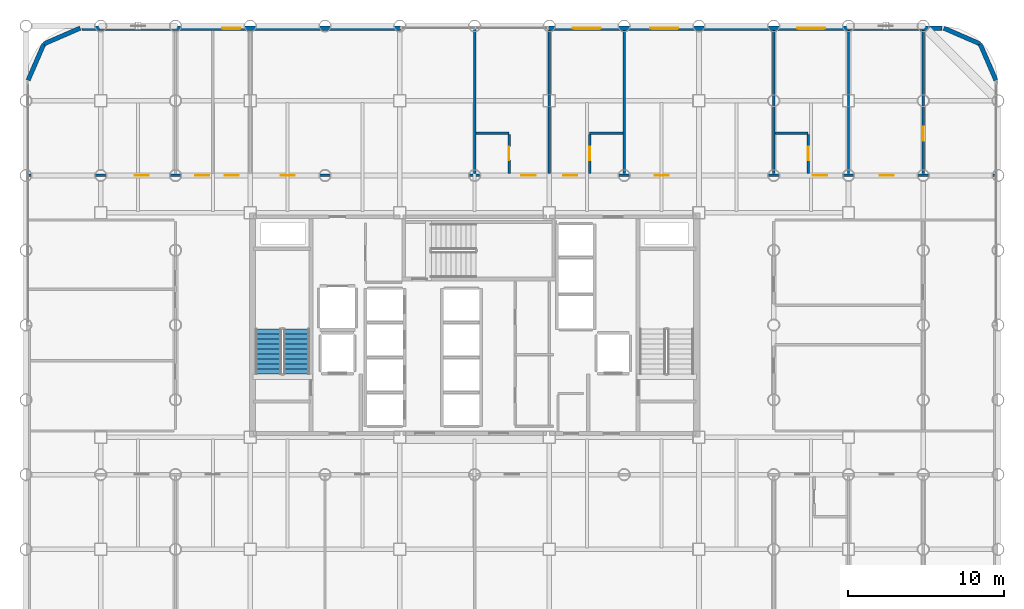
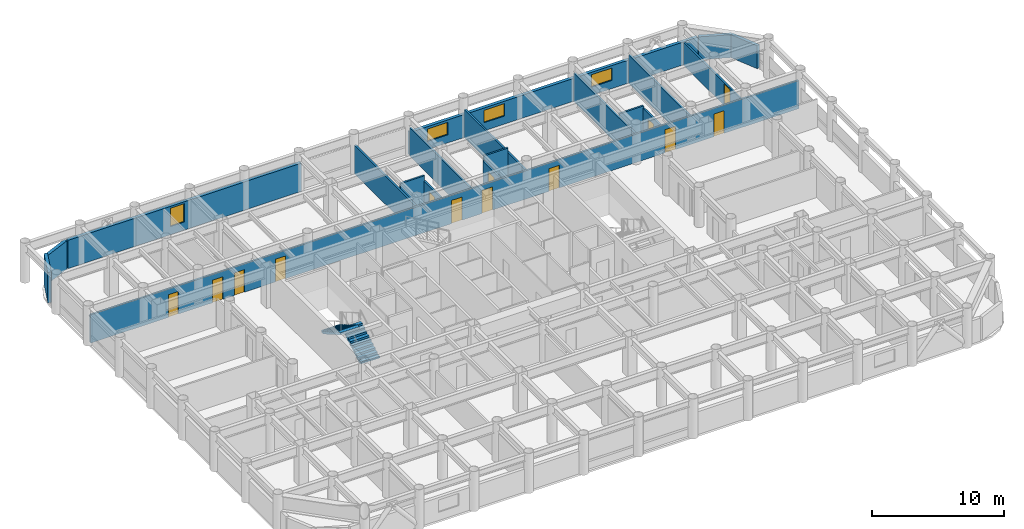
# One storey, part 17 of 19: 19 walls, 13 doors, 4 windows, 2 stair flights, 17 openings, 1 element without a shape of its own.
"""IFC4 building model written with IfcOpenShell, lengths in metres."""

from ifc_helpers import new_model, si_unit, direction, frame, frame_2d, origin, place, context, subcontext, project, spatial, polyline, rectangle, outline, extrude, material, layer, layer_set, type_object, element, fill, aggregate, save


model = new_model("IFC4")

# Units and contexts
model_context = context("Model", 3, precision=1e-05, world=origin(), true_north=direction((0.0, 1.0)))
body_context = subcontext(model_context, "Body", "Model", "MODEL_VIEW")
ifc_project = project(units=[si_unit("LENGTHUNIT", "METRE"), si_unit("AREAUNIT", "SQUARE_METRE"), si_unit("VOLUMEUNIT", "CUBIC_METRE"), si_unit("PLANEANGLEUNIT", "RADIAN"), si_unit("MASSUNIT", "GRAM", prefix="KILO")], contexts=[model_context])

# Site, building, storey
site_placement = place(None, origin())
site = spatial("IfcSite", under=ifc_project, at=site_placement, CompositionType="ELEMENT")
building_placement = place(site_placement, origin())
building = spatial("IfcBuilding", under=site, at=building_placement, Name="Kallvorn Hotel Tower", CompositionType="ELEMENT")
storey_placement = place(building_placement, frame((0.0, 0.0, 63.300048828125)))
storey = spatial("IfcBuildingStorey", under=building, at=storey_placement, Name="L14", CompositionType="ELEMENT", Elevation=63.300048828125)

# Wall, openings, doors
ifc_material_1 = material(Name="Fire-rated double-layer acoustic gypsum drywall EI 60")
ifc_layer_1 = layer(ifc_material_1, 0.159912109375)
ifc_layer_set_1 = layer_set([ifc_layer_1], Name="WL_DEMISE_160")
wall_type_1 = type_object("IfcWallType", Name="WL_DEMISE_160", PredefinedType="PARTITIONING", material=ifc_layer_set_1)
wall_1_placement = place(storey_placement, frame((-28.6298828125, 9.60009765625, 0.0), z_axis=(0.0, 0.0, 1.0), x_axis=(1.0, 0.0, 0.0)))
wall_1 = element("IfcWall", 1, at=wall_1_placement, inside=storey, type_object=wall_type_1, Name="L14 Suite 1402 Standard Twin Room Partition", PredefinedType="PARTITIONING", context=body_context, shape_type="SweptSolid", body=[
    extrude(rectangle(XDim=62.059814453125, YDim=0.159912109375, at=frame_2d((31.02978515625, 0.0))), origin(), (0.0, 0.0, 1.0), 2.619873046875),
])
opening_1_placement = place(wall_1_placement, frame((6.799560546875, 0.0, 0.0)))
opening_1 = element("IfcOpeningElement", 2, at=opening_1_placement, cuts=wall_1, Name="Opening SVD1", PredefinedType="OPENING", context=body_context, shape_type="SweptSolid", body=[
    extrude(rectangle(XDim=0.89990234375, YDim=2.10009765625, at=frame_2d((0.449951171875, 1.050048828125))), frame((0.0, 0.094970703125, 0.0), z_axis=(0.0, -1.0, 0.0), x_axis=(1.0, 0.0, 0.0)), (0.0, 0.0, 1.0), 0.18994140625),
])
opening_2_placement = place(wall_1_placement, frame((54.6201171875, 0.0, 0.0)))
opening_2 = element("IfcOpeningElement", 3, at=opening_2_placement, cuts=wall_1, Name="Opening SVD1", PredefinedType="OPENING", context=body_context, shape_type="SweptSolid", body=[
    extrude(rectangle(XDim=0.89990234375, YDim=2.10009765625, at=frame_2d((0.449951171875, 1.050048828125))), frame((0.0, 0.094970703125, 0.0), z_axis=(0.0, -1.0, 0.0), x_axis=(1.0, 0.0, 0.0)), (0.0, 0.0, 1.0), 0.18994140625),
])
opening_3_placement = place(wall_1_placement, frame((10.68994140625, 0.0, 0.0)))
opening_3 = element("IfcOpeningElement", 4, at=opening_3_placement, cuts=wall_1, Name="Opening SVD1", PredefinedType="OPENING", context=body_context, shape_type="SweptSolid", body=[
    extrude(rectangle(XDim=0.89990234375, YDim=2.10009765625, at=frame_2d((0.449951171875, 1.050048828125))), frame((0.0, 0.094970703125, 0.0), z_axis=(0.0, -1.0, 0.0), x_axis=(1.0, 0.0, 0.0)), (0.0, 0.0, 1.0), 0.18994140625),
])
opening_4_placement = place(wall_1_placement, frame((12.580078125, 0.0, 0.0)))
opening_4 = element("IfcOpeningElement", 5, at=opening_4_placement, cuts=wall_1, Name="Opening SVD1", PredefinedType="OPENING", context=body_context, shape_type="SweptSolid", body=[
    extrude(rectangle(XDim=0.89990234375, YDim=2.10009765625, at=frame_2d((0.449951171875, 1.050048828125))), frame((0.0, 0.094970703125, 0.0), z_axis=(0.0, -1.0, 0.0), x_axis=(1.0, 0.0, 0.0)), (0.0, 0.0, 1.0), 0.18994140625),
])
opening_5_placement = place(wall_1_placement, frame((16.179931640625, 0.0, 0.0)))
opening_5 = element("IfcOpeningElement", 6, at=opening_5_placement, cuts=wall_1, Name="Opening SVD1", PredefinedType="OPENING", context=body_context, shape_type="SweptSolid", body=[
    extrude(rectangle(XDim=0.89990234375, YDim=2.10009765625, at=frame_2d((0.449951171875, 1.050048828125))), frame((0.0, 0.094970703125, 0.0), z_axis=(0.0, -1.0, 0.0), x_axis=(1.0, 0.0, 0.0)), (0.0, 0.0, 1.0), 0.18994140625),
])
opening_6_placement = place(wall_1_placement, frame((31.635009765625, 0.0, 0.0)))
opening_6 = element("IfcOpeningElement", 7, at=opening_6_placement, cuts=wall_1, Name="Opening GD1", PredefinedType="OPENING", context=body_context, shape_type="SweptSolid", body=[
    extrude(rectangle(XDim=0.919921875, YDim=2.14990234375, at=frame_2d((0.4599609375, 1.074951171875))), frame((0.0, 0.094970703125, 0.0), z_axis=(0.0, -1.0, 0.0), x_axis=(1.0, 0.0, 0.0)), (0.0, 0.0, 1.0), 0.18994140625),
])
opening_7_placement = place(wall_1_placement, frame((34.304931640625, 0.0, 0.0)))
opening_7 = element("IfcOpeningElement", 8, at=opening_7_placement, cuts=wall_1, Name="Opening GD1", PredefinedType="OPENING", context=body_context, shape_type="SweptSolid", body=[
    extrude(rectangle(XDim=0.919921875, YDim=2.14990234375, at=frame_2d((0.4599609375, 1.074951171875))), frame((0.0, 0.094970703125, 0.0), z_axis=(0.0, -1.0, 0.0), x_axis=(1.0, 0.0, 0.0)), (0.0, 0.0, 1.0), 0.18994140625),
])
opening_8_placement = place(wall_1_placement, frame((40.179931640625, 0.0, 0.0)))
opening_8 = element("IfcOpeningElement", 9, at=opening_8_placement, cuts=wall_1, Name="Opening SVD1", PredefinedType="OPENING", context=body_context, shape_type="SweptSolid", body=[
    extrude(rectangle(XDim=0.89990234375, YDim=2.10009765625, at=frame_2d((0.449951171875, 1.050048828125))), frame((0.0, 0.094970703125, 0.0), z_axis=(0.0, -1.0, 0.0), x_axis=(1.0, 0.0, 0.0)), (0.0, 0.0, 1.0), 0.18994140625),
])
opening_9_placement = place(wall_1_placement, frame((50.340087890625, 0.0, 0.0)))
opening_9 = element("IfcOpeningElement", 10, at=opening_9_placement, cuts=wall_1, Name="Opening GD1", PredefinedType="OPENING", context=body_context, shape_type="SweptSolid", body=[
    extrude(rectangle(XDim=0.919921875, YDim=2.14990234375, at=frame_2d((0.4599609375, 1.074951171875))), frame((0.0, 0.094970703125, 0.0), z_axis=(0.0, -1.0, 0.0), x_axis=(1.0, 0.0, 0.0)), (0.0, 0.0, 1.0), 0.18994140625),
])
ifc_material_2 = material(Name="Solid-core walnut veneer fire-rated timber door leaf", Category="wood")
door_type_1 = type_object("IfcDoorType", Name="DR_GUEST_920x2150", OperationType="NOTDEFINED", PredefinedType="DOOR", material=ifc_material_2)
door_1_placement = place(opening_6_placement, origin())
door_1 = element("IfcDoor", 11, at=door_1_placement, inside=storey, type_object=door_type_1, Name="L14 Suite 1402 Standard Twin Room Door", OperationType="SINGLE_SWING_LEFT", OverallHeight=2.14990234375, OverallWidth=0.919921875, PredefinedType="DOOR", context=body_context, shape_type="SweptSolid", body=[
    extrude(rectangle(XDim=0.919921875, YDim=2.14990234375, at=frame_2d((0.4599609375, 1.074951171875))), frame((0.0, 0.02490234375, 0.0), z_axis=(0.0, -1.0, 0.0), x_axis=(1.0, 0.0, 0.0)), (0.0, 0.0, 1.0), 0.050048828125),
])
fill(opening_6, door_1)
door_2_placement = place(opening_7_placement, origin())
door_2 = element("IfcDoor", 12, at=door_2_placement, inside=storey, type_object=door_type_1, Name="L14 Suite 1403 Standard Twin Room Door", OperationType="SINGLE_SWING_RIGHT", OverallHeight=2.14990234375, OverallWidth=0.919921875, PredefinedType="DOOR", context=body_context, shape_type="SweptSolid", body=[
    extrude(rectangle(XDim=0.919921875, YDim=2.14990234375, at=frame_2d((0.4599609375, 1.074951171875))), frame((0.0, 0.02490234375, 0.0), z_axis=(0.0, -1.0, 0.0), x_axis=(1.0, 0.0, 0.0)), (0.0, 0.0, 1.0), 0.050048828125),
])
fill(opening_7, door_2)
door_3_placement = place(opening_9_placement, origin())
door_3 = element("IfcDoor", 13, at=door_3_placement, inside=storey, type_object=door_type_1, Name="L14 Suite 1404 Standard King Room Door", OperationType="SINGLE_SWING_LEFT", OverallHeight=2.14990234375, OverallWidth=0.919921875, PredefinedType="DOOR", context=body_context, shape_type="SweptSolid", body=[
    extrude(rectangle(XDim=0.919921875, YDim=2.14990234375, at=frame_2d((0.4599609375, 1.074951171875))), frame((0.0, 0.02490234375, 0.0), z_axis=(0.0, -1.0, 0.0), x_axis=(1.0, 0.0, 0.0)), (0.0, 0.0, 1.0), 0.050048828125),
])
fill(opening_9, door_3)
ifc_material_3 = material(Name="Galvanised painted steel fire-rated door assembly", Category="steel")
door_type_2 = type_object("IfcDoorType", Name="DR_SERV_900x2100", OperationType="NOTDEFINED", PredefinedType="DOOR", material=ifc_material_3)
door_4_placement = place(opening_1_placement, origin())
door_4 = element("IfcDoor", 14, at=door_4_placement, inside=storey, type_object=door_type_2, Name="L14 L14 North-West Fitness Gymnasium Door", OperationType="SINGLE_SWING_RIGHT", OverallHeight=2.10009765625, OverallWidth=0.89990234375, PredefinedType="DOOR", context=body_context, shape_type="SweptSolid", body=[
    extrude(rectangle(XDim=0.89990234375, YDim=2.10009765625, at=frame_2d((0.449951171875, 1.050048828125))), frame((0.0, 0.02490234375, 0.0), z_axis=(0.0, -1.0, 0.0), x_axis=(1.0, 0.0, 0.0)), (0.0, 0.0, 1.0), 0.050048828125),
])
fill(opening_1, door_4)
door_5_placement = place(opening_2_placement, origin())
door_5 = element("IfcDoor", 15, at=door_5_placement, inside=storey, type_object=door_type_2, Name="L14 L14 North-East Reading Club A Door", OperationType="SINGLE_SWING_RIGHT", OverallHeight=2.10009765625, OverallWidth=0.89990234375, PredefinedType="DOOR", context=body_context, shape_type="SweptSolid", body=[
    extrude(rectangle(XDim=0.89990234375, YDim=2.10009765625, at=frame_2d((0.449951171875, 1.050048828125))), frame((0.0, 0.02490234375, 0.0), z_axis=(0.0, -1.0, 0.0), x_axis=(1.0, 0.0, 0.0)), (0.0, 0.0, 1.0), 0.050048828125),
])
fill(opening_2, door_5)
door_6_placement = place(opening_3_placement, origin())
door_6 = element("IfcDoor", 16, at=door_6_placement, inside=storey, type_object=door_type_2, Name="L14 Housekeeping and Linen Room Door", OperationType="SINGLE_SWING_RIGHT", OverallHeight=2.10009765625, OverallWidth=0.89990234375, PredefinedType="DOOR", context=body_context, shape_type="SweptSolid", body=[
    extrude(rectangle(XDim=0.89990234375, YDim=2.10009765625, at=frame_2d((0.449951171875, 1.050048828125))), frame((0.0, 0.02490234375, 0.0), z_axis=(0.0, -1.0, 0.0), x_axis=(1.0, 0.0, 0.0)), (0.0, 0.0, 1.0), 0.050048828125),
])
fill(opening_3, door_6)
door_7_placement = place(opening_4_placement, origin())
door_7 = element("IfcDoor", 17, at=door_7_placement, inside=storey, type_object=door_type_2, Name="L14 Guest Tea and Refreshment Bar Door", OperationType="SINGLE_SWING_LEFT", OverallHeight=2.10009765625, OverallWidth=0.89990234375, PredefinedType="DOOR", context=body_context, shape_type="SweptSolid", body=[
    extrude(rectangle(XDim=0.89990234375, YDim=2.10009765625, at=frame_2d((0.449951171875, 1.050048828125))), frame((0.0, 0.02490234375, 0.0), z_axis=(0.0, -1.0, 0.0), x_axis=(1.0, 0.0, 0.0)), (0.0, 0.0, 1.0), 0.050048828125),
])
fill(opening_4, door_7)
door_8_placement = place(opening_5_placement, origin())
door_8 = element("IfcDoor", 18, at=door_8_placement, inside=storey, type_object=door_type_2, Name="L14 L14 Cordillera Botanical Tea Salon 2 Door", OperationType="SINGLE_SWING_RIGHT", OverallHeight=2.10009765625, OverallWidth=0.89990234375, PredefinedType="DOOR", context=body_context, shape_type="SweptSolid", body=[
    extrude(rectangle(XDim=0.89990234375, YDim=2.10009765625, at=frame_2d((0.449951171875, 1.050048828125))), frame((0.0, 0.02490234375, 0.0), z_axis=(0.0, -1.0, 0.0), x_axis=(1.0, 0.0, 0.0)), (0.0, 0.0, 1.0), 0.050048828125),
])
fill(opening_5, door_8)
door_9_placement = place(opening_8_placement, origin())
door_9 = element("IfcDoor", 19, at=door_9_placement, inside=storey, type_object=door_type_2, Name="L14 L14 Altitude Wellness Fitness Gymnasium 5 Door", OperationType="SINGLE_SWING_RIGHT", OverallHeight=2.10009765625, OverallWidth=0.89990234375, PredefinedType="DOOR", context=body_context, shape_type="SweptSolid", body=[
    extrude(rectangle(XDim=0.89990234375, YDim=2.10009765625, at=frame_2d((0.449951171875, 1.050048828125))), frame((0.0, 0.02490234375, 0.0), z_axis=(0.0, -1.0, 0.0), x_axis=(1.0, 0.0, 0.0)), (0.0, 0.0, 1.0), 0.050048828125),
])
fill(opening_8, door_9)

# Walls
wall_2_placement = place(storey_placement, frame((0.080078125, 12.320068359375, 0.0), z_axis=(0.0, 0.0, 1.0), x_axis=(1.0, 0.0, 0.0)))
element("IfcWall", 20, at=wall_2_placement, inside=storey, type_object=wall_type_1, Name="L14 Suite 1402 Standard Twin Room Partition", PredefinedType="PARTITIONING", context=body_context, shape_type="SweptSolid", body=[
    extrude(rectangle(XDim=2.1298828125, YDim=0.159912109375, at=frame_2d((1.06494140625, 0.0))), origin(), (0.0, 0.0, 1.0), 3.070068359375),
])
wall_3_placement = place(storey_placement, frame((7.389892578125, 12.320068359375, 0.0), z_axis=(0.0, 0.0, 1.0), x_axis=(1.0, 0.0, 0.0)))
element("IfcWall", 21, at=wall_3_placement, inside=storey, type_object=wall_type_1, Name="L14 Suite 1403 Standard Twin Room Partition", PredefinedType="PARTITIONING", context=body_context, shape_type="SweptSolid", body=[
    extrude(rectangle(XDim=2.130126953125, YDim=0.159912109375, at=frame_2d((1.06494140625, 0.0))), origin(), (0.0, 0.0, 1.0), 3.070068359375),
])
wall_4_placement = place(storey_placement, frame((19.280029296875, 12.320068359375, 0.0), z_axis=(0.0, 0.0, 1.0), x_axis=(1.0, 0.0, 0.0)))
element("IfcWall", 22, at=wall_4_placement, inside=storey, type_object=wall_type_1, Name="L14 Suite 1404 Standard King Room Partition", PredefinedType="PARTITIONING", context=body_context, shape_type="SweptSolid", body=[
    extrude(rectangle(XDim=2.1298828125, YDim=0.159912109375, at=frame_2d((1.06494140625, 0.0))), origin(), (0.0, 0.0, 1.0), 2.820068359375),
])
wall_5_placement = place(storey_placement, frame((0.0, 9.719970703125, 0.0), z_axis=(0.0, 0.0, 1.0), x_axis=(0.0, 1.0, 0.0)))
element("IfcWall", 23, at=wall_5_placement, inside=storey, type_object=wall_type_1, Name="L14 Suite 1402 Standard Twin Room Partition", PredefinedType="PARTITIONING", context=body_context, shape_type="SweptSolid", body=[
    extrude(rectangle(XDim=9.275146484375, YDim=0.159912109375, at=frame_2d((4.6376953125, 0.0))), origin(), (0.0, 0.0, 1.0), 2.619873046875),
])

# Wall, opening, door
wall_6_placement = place(storey_placement, frame((2.2099609375, 9.719970703125, 0.0), z_axis=(0.0, 0.0, 1.0), x_axis=(0.0, 1.0, 0.0)))
wall_6 = element("IfcWall", 24, at=wall_6_placement, inside=storey, type_object=wall_type_1, Name="L14 Suite 1402 Standard Twin Room Partition", PredefinedType="PARTITIONING", context=body_context, shape_type="SweptSolid", body=[
    extrude(rectangle(XDim=2.51513671875, YDim=0.159912109375, at=frame_2d((1.257568359375, 0.0))), origin(), (0.0, 0.0, 1.0), 2.619873046875),
])
opening_10_placement = place(wall_6_placement, frame((0.8701171875, 0.0, 0.0)))
opening_10 = element("IfcOpeningElement", 25, at=opening_10_placement, cuts=wall_6, Name="Opening BD-I", PredefinedType="OPENING", context=body_context, shape_type="SweptSolid", body=[
    extrude(rectangle(XDim=0.860107421875, YDim=2.10009765625, at=frame_2d((0.43017578125, 1.050048828125))), frame((0.0, 0.094970703125, 0.0), z_axis=(0.0, -1.0, 0.0), x_axis=(1.0, 0.0, 0.0)), (0.0, 0.0, 1.0), 0.18994140625),
])
ifc_material_4 = material(Name="Solid-core walnut veneer fire-rated timber door leaf", Category="wood")
door_type_3 = type_object("IfcDoorType", Name="DR_BATH_860x2100", OperationType="NOTDEFINED", PredefinedType="DOOR", material=ifc_material_4)
door_10_placement = place(opening_10_placement, origin())
door_10 = element("IfcDoor", 26, at=door_10_placement, inside=storey, type_object=door_type_3, Name="L14 Suite 1402 En-Suite Bathroom Door", OperationType="SINGLE_SWING_LEFT", OverallHeight=2.10009765625, OverallWidth=0.860107421875, PredefinedType="DOOR", context=body_context, shape_type="SweptSolid", body=[
    extrude(rectangle(XDim=0.860107421875, YDim=2.10009765625, at=frame_2d((0.43017578125, 1.050048828125))), frame((0.0, 0.02490234375, 0.0), z_axis=(0.0, -1.0, 0.0), x_axis=(1.0, 0.0, 0.0)), (0.0, 0.0, 1.0), 0.050048828125),
])
fill(opening_10, door_10)

# Wall
wall_7_placement = place(storey_placement, frame((4.800048828125, 9.719970703125, 0.0), z_axis=(0.0, 0.0, 1.0), x_axis=(0.0, 1.0, 0.0)))
element("IfcWall", 27, at=wall_7_placement, inside=storey, type_object=wall_type_1, Name="L14 Suite 1402 Standard Twin Room Partition", PredefinedType="PARTITIONING", context=body_context, shape_type="SweptSolid", body=[
    extrude(rectangle(XDim=9.18994140625, YDim=0.159912109375, at=frame_2d((4.594970703125, 0.0))), origin(), (0.0, 0.0, 1.0), 2.619873046875),
])

# Wall, opening, door
wall_8_placement = place(storey_placement, frame((7.389892578125, 9.719970703125, 0.0), z_axis=(0.0, 0.0, 1.0), x_axis=(0.0, 1.0, 0.0)))
wall_8 = element("IfcWall", 28, at=wall_8_placement, inside=storey, type_object=wall_type_1, Name="L14 Suite 1403 Standard Twin Room Partition", PredefinedType="PARTITIONING", context=body_context, shape_type="SweptSolid", body=[
    extrude(rectangle(XDim=2.51513671875, YDim=0.159912109375, at=frame_2d((1.257568359375, 0.0))), origin(), (0.0, 0.0, 1.0), 2.619873046875),
])
opening_11_placement = place(wall_8_placement, frame((0.8701171875, 0.0, 0.0)))
opening_11 = element("IfcOpeningElement", 29, at=opening_11_placement, cuts=wall_8, Name="Opening BD-I", PredefinedType="OPENING", context=body_context, shape_type="SweptSolid", body=[
    extrude(rectangle(XDim=0.860107421875, YDim=2.10009765625, at=frame_2d((0.43017578125, 1.050048828125))), frame((0.0, 0.094970703125, 0.0), z_axis=(0.0, -1.0, 0.0), x_axis=(1.0, 0.0, 0.0)), (0.0, 0.0, 1.0), 0.18994140625),
])
door_11_placement = place(opening_11_placement, origin())
door_11 = element("IfcDoor", 30, at=door_11_placement, inside=storey, type_object=door_type_3, Name="L14 Suite 1403 En-Suite Bathroom Door", OperationType="SINGLE_SWING_RIGHT", OverallHeight=2.10009765625, OverallWidth=0.860107421875, PredefinedType="DOOR", context=body_context, shape_type="SweptSolid", body=[
    extrude(rectangle(XDim=0.860107421875, YDim=2.10009765625, at=frame_2d((0.43017578125, 1.050048828125))), frame((0.0, 0.02490234375, 0.0), z_axis=(0.0, -1.0, 0.0), x_axis=(1.0, 0.0, 0.0)), (0.0, 0.0, 1.0), 0.050048828125),
])
fill(opening_11, door_11)

# Walls
for number, where, z_axis, x_axis, name in (
    (31, (9.60009765625, 9.719970703125, 0.0), (0.0, 0.0, 1.0), (0.0, 1.0, 0.0), "L14 Suite 1403 Standard Twin Room Partition"),
    (32, (19.199951171875, 9.719970703125, 0.0), (0.0, 0.0, 1.0), (0.0, 1.0, 0.0), "L14 Suite 1404 Standard King Room Partition"),
):
    element("IfcWall", number, at=place(storey_placement, frame(where, z_axis=z_axis, x_axis=x_axis)), inside=storey, type_object=wall_type_1, Name=name, PredefinedType="PARTITIONING", context=body_context, shape_type="SweptSolid", body=[
        extrude(rectangle(XDim=9.18994140625, YDim=0.159912109375, at=frame_2d((4.594970703125, 0.0))), origin(), (0.0, 0.0, 1.0), 2.619873046875),
    ])

# Wall, opening, door
wall_9_placement = place(storey_placement, frame((21.409912109375, 9.719970703125, 0.0), z_axis=(0.0, 0.0, 1.0), x_axis=(0.0, 1.0, 0.0)))
wall_9 = element("IfcWall", 33, at=wall_9_placement, inside=storey, type_object=wall_type_1, Name="L14 Suite 1404 Standard King Room Partition", PredefinedType="PARTITIONING", context=body_context, shape_type="SweptSolid", body=[
    extrude(rectangle(XDim=2.51513671875, YDim=0.159912109375, at=frame_2d((1.257568359375, 0.0))), origin(), (0.0, 0.0, 1.0), 2.619873046875),
])
opening_12_placement = place(wall_9_placement, frame((0.8701171875, 0.0, 0.0)))
opening_12 = element("IfcOpeningElement", 34, at=opening_12_placement, cuts=wall_9, Name="Opening BD-I", PredefinedType="OPENING", context=body_context, shape_type="SweptSolid", body=[
    extrude(rectangle(XDim=0.860107421875, YDim=2.10009765625, at=frame_2d((0.43017578125, 1.050048828125))), frame((0.0, 0.094970703125, 0.0), z_axis=(0.0, -1.0, 0.0), x_axis=(1.0, 0.0, 0.0)), (0.0, 0.0, 1.0), 0.18994140625),
])
door_12_placement = place(opening_12_placement, origin())
door_12 = element("IfcDoor", 35, at=door_12_placement, inside=storey, type_object=door_type_3, Name="L14 Suite 1404 En-Suite Bathroom Door", OperationType="SINGLE_SWING_RIGHT", OverallHeight=2.10009765625, OverallWidth=0.860107421875, PredefinedType="DOOR", context=body_context, shape_type="SweptSolid", body=[
    extrude(rectangle(XDim=0.860107421875, YDim=2.10009765625, at=frame_2d((0.43017578125, 1.050048828125))), frame((0.0, 0.02490234375, 0.0), z_axis=(0.0, -1.0, 0.0), x_axis=(1.0, 0.0, 0.0)), (0.0, 0.0, 1.0), 0.050048828125),
])
fill(opening_12, door_12)

# Walls
wall_10_placement = place(storey_placement, frame((24.0, 9.719970703125, 0.0), z_axis=(0.0, 0.0, 1.0), x_axis=(0.0, 1.0, 0.0)))
element("IfcWall", 36, at=wall_10_placement, inside=storey, type_object=wall_type_1, Name="L14 Suite 1404 Standard King Room Partition", PredefinedType="PARTITIONING", context=body_context, shape_type="SweptSolid", body=[
    extrude(rectangle(XDim=9.18994140625, YDim=0.159912109375, at=frame_2d((4.594970703125, 0.0))), origin(), (0.0, 0.0, 1.0), 2.619873046875),
])
ifc_material_5 = material(Name="Precast basalt-clad insulated concrete wall C40/50", Category="masonry")
ifc_layer_2 = layer(ifc_material_5, 0.280029296875)
ifc_layer_set_2 = layer_set([ifc_layer_2], Name="WL_EXT_LOGGIA_280")
wall_type_2 = type_object("IfcWallType", Name="WL_EXT_LOGGIA_280", PredefinedType="SOLIDWALL", material=ifc_layer_set_2)
wall_11_placement = place(storey_placement, frame((33.4580078125, 15.720703125, 0.0), z_axis=(0.0, 0.0, 1.0), x_axis=(-0.398792985289, 0.917040977756, 0.0)))
element("IfcWall", 37, at=wall_11_placement, inside=storey, type_object=wall_type_2, Name="L14 Rounded Corner Exterior Wall NE1", PredefinedType="SOLIDWALL", context=body_context, shape_type="SweptSolid", body=[
    extrude(rectangle(XDim=2.536376953125, YDim=0.280029296875, at=frame_2d((1.26806640625, 0.0))), origin(), (0.0, 0.0, 1.0), 2.119873046875),
])
wall_12_placement = place(storey_placement, frame((32.446533203125, 18.046630859375, 0.0), z_axis=(0.0, 0.0, 1.0), x_axis=(-0.917060872934, 0.398747232384, 0.0)))
element("IfcWall", 38, at=wall_12_placement, inside=storey, type_object=wall_type_2, Name="L14 Rounded Corner Exterior Wall NE2", PredefinedType="SOLIDWALL", context=body_context, shape_type="SweptSolid", body=[
    extrude(rectangle(XDim=2.5361328125, YDim=0.280029296875, at=frame_2d((1.26806640625, 0.0))), origin(), (0.0, 0.0, 1.0), 2.119873046875),
])
wall_13_placement = place(storey_placement, frame((-25.32080078125, 19.057861328125, 0.0), z_axis=(0.0, 0.0, 1.0), x_axis=(-0.917060872934, -0.398747232384, 0.0)))
element("IfcWall", 39, at=wall_13_placement, inside=storey, type_object=wall_type_2, Name="L14 Rounded Corner Exterior Wall NW1", PredefinedType="SOLIDWALL", context=body_context, shape_type="SweptSolid", body=[
    extrude(rectangle(XDim=2.5361328125, YDim=0.280029296875, at=frame_2d((1.26806640625, 0.0))), origin(), (0.0, 0.0, 1.0), 2.619873046875),
])
wall_14_placement = place(storey_placement, frame((-27.646484375, 18.046630859375, 0.0), z_axis=(0.0, 0.0, 1.0), x_axis=(-0.398792985289, -0.917040977756, 0.0)))
element("IfcWall", 40, at=wall_14_placement, inside=storey, type_object=wall_type_2, Name="L14 Rounded Corner Exterior Wall NW2", PredefinedType="SOLIDWALL", context=body_context, shape_type="SweptSolid", body=[
    extrude(rectangle(XDim=2.536376953125, YDim=0.280029296875, at=frame_2d((1.26806640625, 0.0))), origin(), (0.0, 0.0, 1.0), 2.820068359375),
])

# Wall, opening, window
wall_15_placement = place(storey_placement, frame((-25.199951171875, 19.06005859375, 0.0), z_axis=(0.0, 0.0, 1.0), x_axis=(1.0, 0.0, 0.0)))
wall_15 = element("IfcWall", 41, at=wall_15_placement, inside=storey, type_object=wall_type_2, Name="L14 Exterior Envelope Wall EW-L14-NW", PredefinedType="SOLIDWALL", context=body_context, shape_type="SweptSolid", body=[
    extrude(rectangle(XDim=20.449951171875, YDim=0.280029296875, at=frame_2d((10.22509765625, 0.0))), origin(), (0.0, 0.0, 1.0), 2.619873046875),
])
opening_13_placement = place(wall_15_placement, frame((9.0, 0.0, 0.75)))
opening_13 = element("IfcOpeningElement", 42, at=opening_13_placement, cuts=wall_15, Name="Opening W06", PredefinedType="OPENING", context=body_context, shape_type="SweptSolid", body=[
    extrude(rectangle(XDim=1.199951171875, YDim=1.699951171875, at=frame_2d((0.60009765625, 0.85009765625))), frame((0.0, 0.155029296875, 0.0), z_axis=(0.0, -1.0, 0.0), x_axis=(1.0, 0.0, 0.0)), (0.0, 0.0, 1.0), 0.31005859375),
])
ifc_material_6 = material(Name="Triple-glazed low-e acoustic solar-control dark glass", Category="glass")
window_type_1 = type_object("IfcWindowType", Name="WN_HTL_1200x1700", PartitioningType="SINGLE_PANEL", PredefinedType="WINDOW", material=ifc_material_6)
window_1_placement = place(opening_13_placement, origin())
window_1 = element("IfcWindow", 43, at=window_1_placement, inside=storey, type_object=window_type_1, Name="L14 Guestroom Exterior Window 03", OverallHeight=1.699951171875, OverallWidth=1.199951171875, PartitioningType="SINGLE_PANEL", PredefinedType="WINDOW", context=body_context, shape_type="SweptSolid", body=[
    extrude(rectangle(XDim=1.199951171875, YDim=1.699951171875, at=frame_2d((0.60009765625, 0.85009765625))), frame((0.0, 0.030029296875, 0.0), z_axis=(0.0, -1.0, 0.0), x_axis=(1.0, 0.0, 0.0)), (0.0, 0.0, 1.0), 0.06005859375),
])
fill(opening_13, window_1)

# Wall, openings, windows
wall_16_placement = place(storey_placement, frame((4.75, 19.06005859375, 0.0), z_axis=(0.0, 0.0, 1.0), x_axis=(1.0, 0.0, 0.0)))
wall_16 = element("IfcWall", 44, at=wall_16_placement, inside=storey, type_object=wall_type_2, Name="L14 Exterior Envelope Wall EW-L14-NE", PredefinedType="SOLIDWALL", context=body_context, shape_type="SweptSolid", body=[
    extrude(rectangle(XDim=25.25, YDim=0.280029296875, at=frame_2d((12.625, 0.0))), origin(), (0.0, 0.0, 1.0), 2.119873046875),
])
opening_14_placement = place(wall_16_placement, frame((1.550048828125, 0.0, 0.75)))
opening_14 = element("IfcOpeningElement", 45, at=opening_14_placement, cuts=wall_16, Name="Opening W04A", PredefinedType="OPENING", context=body_context, shape_type="SweptSolid", body=[
    extrude(rectangle(XDim=1.800048828125, YDim=1.14990234375, at=frame_2d((0.89990234375, 0.574951171875))), frame((0.0, 0.155029296875, 0.0), z_axis=(0.0, -1.0, 0.0), x_axis=(1.0, 0.0, 0.0)), (0.0, 0.0, 1.0), 0.31005859375),
])
opening_15_placement = place(wall_16_placement, frame((6.530029296875, 0.0, 0.75)))
opening_15 = element("IfcOpeningElement", 46, at=opening_15_placement, cuts=wall_16, Name="Opening W04A", PredefinedType="OPENING", context=body_context, shape_type="SweptSolid", body=[
    extrude(rectangle(XDim=1.800048828125, YDim=1.14990234375, at=frame_2d((0.89990234375, 0.574951171875))), frame((0.0, 0.155029296875, 0.0), z_axis=(0.0, -1.0, 0.0), x_axis=(1.0, 0.0, 0.0)), (0.0, 0.0, 1.0), 0.31005859375),
])
opening_16_placement = place(wall_16_placement, frame((15.949951171875, 0.0, 0.75)))
opening_16 = element("IfcOpeningElement", 47, at=opening_16_placement, cuts=wall_16, Name="Opening W04A", PredefinedType="OPENING", context=body_context, shape_type="SweptSolid", body=[
    extrude(rectangle(XDim=1.800048828125, YDim=1.14990234375, at=frame_2d((0.89990234375, 0.574951171875))), frame((0.0, 0.155029296875, 0.0), z_axis=(0.0, -1.0, 0.0), x_axis=(1.0, 0.0, 0.0)), (0.0, 0.0, 1.0), 0.31005859375),
])
ifc_material_7 = material(Name="Double-glazed low-e solar-control dark glass", Category="glass")
window_type_2 = type_object("IfcWindowType", Name="WN_HTL_1800x1150", PartitioningType="SINGLE_PANEL", PredefinedType="WINDOW", material=ifc_material_7)
window_2_placement = place(opening_14_placement, origin())
window_2 = element("IfcWindow", 48, at=window_2_placement, inside=storey, type_object=window_type_2, Name="L14 Guestroom Exterior Window 04", OverallHeight=1.14990234375, OverallWidth=1.800048828125, PartitioningType="SINGLE_PANEL", PredefinedType="WINDOW", context=body_context, shape_type="SweptSolid", body=[
    extrude(rectangle(XDim=1.800048828125, YDim=1.14990234375, at=frame_2d((0.89990234375, 0.574951171875))), frame((0.0, 0.030029296875, 0.0), z_axis=(0.0, -1.0, 0.0), x_axis=(1.0, 0.0, 0.0)), (0.0, 0.0, 1.0), 0.06005859375),
])
fill(opening_14, window_2)
window_3_placement = place(opening_15_placement, origin())
window_3 = element("IfcWindow", 49, at=window_3_placement, inside=storey, type_object=window_type_2, Name="L14 Guestroom Exterior Window 05", OverallHeight=1.14990234375, OverallWidth=1.800048828125, PartitioningType="SINGLE_PANEL", PredefinedType="WINDOW", context=body_context, shape_type="SweptSolid", body=[
    extrude(rectangle(XDim=1.800048828125, YDim=1.14990234375, at=frame_2d((0.89990234375, 0.574951171875))), frame((0.0, 0.030029296875, 0.0), z_axis=(0.0, -1.0, 0.0), x_axis=(1.0, 0.0, 0.0)), (0.0, 0.0, 1.0), 0.06005859375),
])
fill(opening_15, window_3)
window_4_placement = place(opening_16_placement, origin())
window_4 = element("IfcWindow", 50, at=window_4_placement, inside=storey, type_object=window_type_2, Name="L14 Guestroom Exterior Window 06", OverallHeight=1.14990234375, OverallWidth=1.800048828125, PartitioningType="SINGLE_PANEL", PredefinedType="WINDOW", context=body_context, shape_type="SweptSolid", body=[
    extrude(rectangle(XDim=1.800048828125, YDim=1.14990234375, at=frame_2d((0.89990234375, 0.574951171875))), frame((0.0, 0.030029296875, 0.0), z_axis=(0.0, -1.0, 0.0), x_axis=(1.0, 0.0, 0.0)), (0.0, 0.0, 1.0), 0.06005859375),
])
fill(opening_16, window_4)

# Wall, opening, door
ifc_material_8 = material(Name="Fire-rated double-layer acoustic gypsum drywall EI 60")
ifc_layer_3 = layer(ifc_material_8, 0.14990234375)
ifc_layer_set_3 = layer_set([ifc_layer_3], Name="WL_PART_150")
wall_type_3 = type_object("IfcWallType", Name="WL_PART_150", PredefinedType="PARTITIONING", material=ifc_layer_set_3)
wall_17_placement = place(storey_placement, frame((28.800048828125, 9.719970703125, 0.0), z_axis=(0.0, 0.0, 1.0), x_axis=(0.0, 1.0, 0.0)))
wall_17 = element("IfcWall", 51, at=wall_17_placement, inside=storey, type_object=wall_type_3, Name="L14 L14 North-East Reading Club A Partition", PredefinedType="PARTITIONING", context=body_context, shape_type="SweptSolid", body=[
    extrude(rectangle(XDim=9.18994140625, YDim=0.14990234375, at=frame_2d((4.594970703125, 0.0))), origin(), (0.0, 0.0, 1.0), 2.119873046875),
])
opening_17_placement = place(wall_17_placement, frame((2.10791015625, 0.0, 0.0)))
opening_17 = element("IfcOpeningElement", 52, at=opening_17_placement, cuts=wall_17, Name="Opening SVD1A", PredefinedType="OPENING", context=body_context, shape_type="SweptSolid", body=[
    extrude(rectangle(XDim=0.89990234375, YDim=2.02001953125, at=frame_2d((0.449951171875, 1.010009765625))), frame((0.0, 0.08984375, 0.0), z_axis=(0.0, -1.0, 0.0), x_axis=(1.0, 0.0, 0.0)), (0.0, 0.0, 1.0), 0.179931640625),
])
ifc_material_9 = material(Name="Galvanised painted steel fire-rated door assembly", Category="steel")
door_type_4 = type_object("IfcDoorType", Name="DR_SERV_900x2020", OperationType="NOTDEFINED", PredefinedType="DOOR", material=ifc_material_9)
door_13_placement = place(opening_17_placement, origin())
door_13 = element("IfcDoor", 53, at=door_13_placement, inside=storey, type_object=door_type_4, Name="L14 L14 North-East Reading Club B Door", OperationType="SINGLE_SWING_RIGHT", OverallHeight=2.02001953125, OverallWidth=0.89990234375, PredefinedType="DOOR", context=body_context, shape_type="SweptSolid", body=[
    extrude(rectangle(XDim=0.89990234375, YDim=2.02001953125, at=frame_2d((0.449951171875, 1.010009765625))), frame((0.0, 0.02490234375, 0.0), z_axis=(0.0, -1.0, 0.0), x_axis=(1.0, 0.0, 0.0)), (0.0, 0.0, 1.0), 0.050048828125),
])
fill(opening_17, door_13)

# Stair, stair flights
ifc_material_10 = material(Name="Precast concrete C40/50", Category="concrete")
stair_type = type_object("IfcStairType", Name="STR_CORE_DOGLEG", PredefinedType="HALF_TURN_STAIR", material=ifc_material_10)
stair_placement = place(storey_placement, origin())
stair = element("IfcStair", 54, at=stair_placement, inside=storey, type_object=stair_type, Name="L14 Exit stair ST1", PredefinedType="HALF_TURN_STAIR")
ifc_material_11 = material(Name="Precast concrete C40/50", Category="concrete")
stair_flight_type = type_object("IfcStairFlightType", Name="FLT_CORE_1660", PredefinedType="STRAIGHT", material=ifc_material_11)
stair_flight_1_placement = place(storey_placement, frame((-11.429931640625, -3.139892578125, 0.0), z_axis=(0.0, 0.0, 1.0), x_axis=(0.0, 1.0, 0.0)))
stair_flight_1 = element("IfcStairFlight", 55, at=stair_flight_1_placement, type_object=stair_flight_type, Name="ST1 flight 1", NumberOfRisers=10, NumberOfTreads=9, PredefinedType="STRAIGHT", RiserHeight=0.185, TreadLength=0.32, context=body_context, shape_type="SweptSolid", body=[
    extrude(outline(polyline([(0.0, 0.0), (0.0, 0.18505859375), (0.320068359375, 0.18505859375), (0.320068359375, 0.3701171875), (0.639892578125, 0.3701171875), (0.639892578125, 0.554931640625), (0.9599609375, 0.554931640625), (0.9599609375, 0.739990234375), (1.280029296875, 0.739990234375), (1.280029296875, 0.925048828125), (1.60009765625, 0.925048828125), (1.60009765625, 1.110107421875), (1.919921875, 1.110107421875), (1.919921875, 1.294921875), (2.239990234375, 1.294921875), (2.239990234375, 1.47998046875), (2.56005859375, 1.47998046875), (2.56005859375, 1.6650390625), (2.8798828125, 1.6650390625), (2.8798828125, 1.85009765625), (2.8798828125, 1.491943359375), (0.299560546875, 0.0), (0.0, 0.0)])), frame((0.0, 0.830078125, 0.0), z_axis=(0.0, -1.0, 0.0), x_axis=(1.0, 0.0, 0.0)), (0.0, 0.0, 1.0), 1.659912109375),
])
stair_flight_2_placement = place(storey_placement, frame((-13.22998046875, -0.260009765625, 1.849853515625), z_axis=(0.0, 0.0, 1.0), x_axis=(0.0, -1.0, 0.0)))
stair_flight_2 = element("IfcStairFlight", 56, at=stair_flight_2_placement, type_object=stair_flight_type, Name="ST1 flight 2", NumberOfRisers=10, NumberOfTreads=9, PredefinedType="STRAIGHT", RiserHeight=0.185, TreadLength=0.32, context=body_context, shape_type="SweptSolid", body=[
    extrude(outline(polyline([(0.0, 0.0), (0.0, 0.18505859375), (0.320068359375, 0.18505859375), (0.320068359375, 0.3701171875), (0.639892578125, 0.3701171875), (0.639892578125, 0.554931640625), (0.9599609375, 0.554931640625), (0.9599609375, 0.739990234375), (1.280029296875, 0.739990234375), (1.280029296875, 0.925048828125), (1.60009765625, 0.925048828125), (1.60009765625, 1.110107421875), (1.919921875, 1.110107421875), (1.919921875, 1.294921875), (2.239990234375, 1.294921875), (2.239990234375, 1.47998046875), (2.56005859375, 1.47998046875), (2.56005859375, 1.6650390625), (2.8798828125, 1.6650390625), (2.8798828125, 1.85009765625), (2.8798828125, 1.491943359375), (0.299560546875, 0.0), (0.0, 0.0)])), frame((0.0, 0.830078125, 0.0), z_axis=(0.0, -1.0, 0.0), x_axis=(1.0, 0.0, 0.0)), (0.0, 0.0, 1.0), 1.659912109375),
])
aggregate(stair, [stair_flight_1, stair_flight_2])

save(model, "model.ifc")
